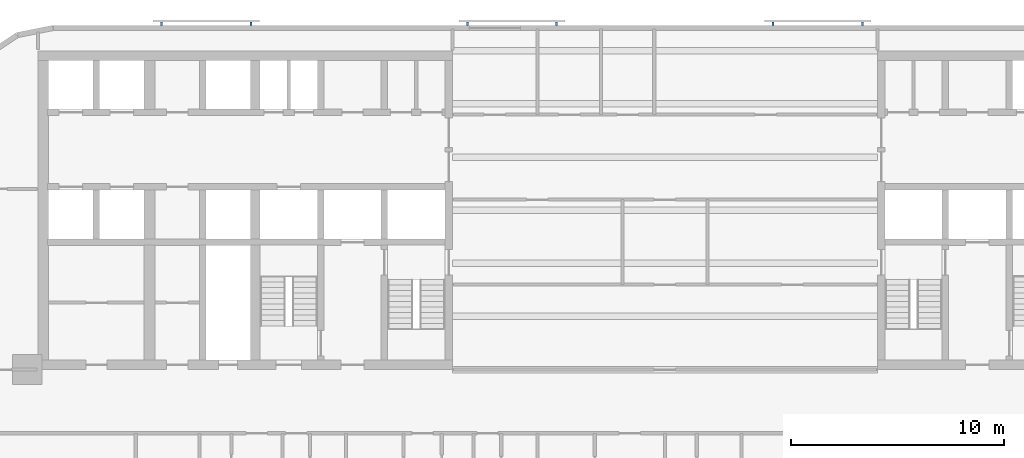
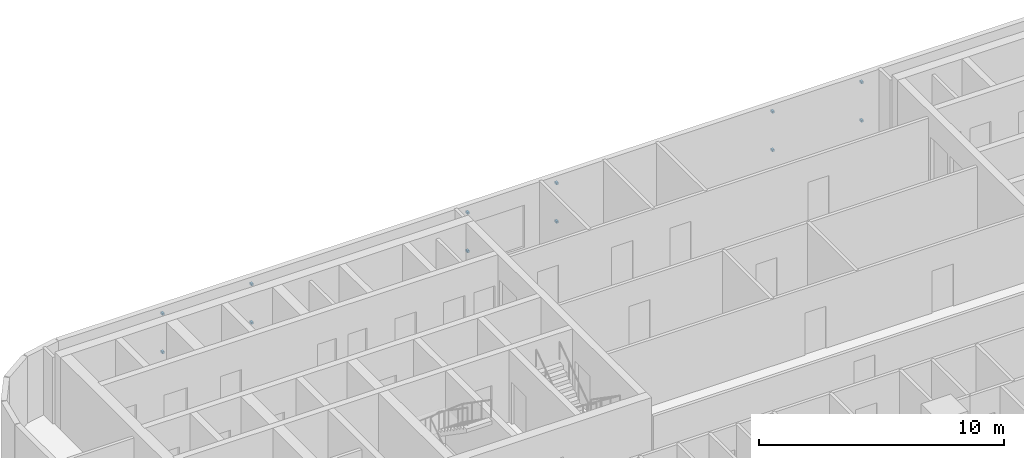
# One storey, part 11 of 15: 12 discrete accessories.
"""IFC4 building model written with IfcOpenShell, lengths in metres."""

import ifcopenshell
import ifcopenshell.guid

model = None  # the IFC model being written
_history = None  # IfcOwnerHistory: only IFC2X3 demands one
_inside = {}  # id of a spatial element -> (the spatial element, [elements in it])
_under = {}  # id of a project, library or spatial element -> (it, [spatial elements below it])
_declared = {}  # id of a project -> (the project, [libraries it declares])
_typed = {}  # id of a type object -> (the type object, [elements of that type])
_made_of = {}  # id of a material, layer set ... -> (it, [elements and type objects made of it])


def new_model(schema):
    """Start an empty IFC model of exactly this schema.

    Asked for "IFC4X3", IfcOpenShell would pick the latest addendum, in which some entities
    have other attributes; the version numbers below select the first issue.
    IFC2X3 requires an IfcOwnerHistory on every rooted entity: one is made here for all.
    """
    global model, _history
    if schema == "IFC4X3":
        model = ifcopenshell.file(schema_version=(4, 3, 0, 0))
    else:
        model = ifcopenshell.file(schema=schema)
    _inside.clear()
    _under.clear()
    _declared.clear()
    _typed.clear()
    _made_of.clear()
    _history = None
    if model.schema == "IFC2X3":
        org = make("IfcOrganization", Name="unknown")
        user = make(
            "IfcPersonAndOrganization",
            ThePerson=make("IfcPerson", FamilyName="unknown"),
            TheOrganization=org,
        )
        app = make(
            "IfcApplication",
            ApplicationDeveloper=org,
            Version="unknown",
            ApplicationFullName="unknown",
            ApplicationIdentifier="unknown",
        )
        _history = make(
            "IfcOwnerHistory",
            OwningUser=user,
            OwningApplication=app,
            ChangeAction="ADDED",
            CreationDate=0,
        )
    return model


def make(cls, **values):
    """One entity of the class cls with the attributes given. An attribute that is None is left unset."""
    return model.create_entity(
        cls, **{name: value for name, value in values.items() if value is not None}
    )


def rooted(cls, **values):
    """An entity with a GlobalId (a new one), such as an element, a storey or a relation."""
    return make(cls, GlobalId=ifcopenshell.guid.new(), OwnerHistory=_history, **values)


def si_unit(unit_type, name, prefix=None):
    """IfcSIUnit, for example si_unit("LENGTHUNIT", "METRE", prefix="MILLI")."""
    return make("IfcSIUnit", UnitType=unit_type, Prefix=prefix, Name=name)


def assignment(units):
    """IfcUnitAssignment: the units of a project."""
    return None if units is None else make("IfcUnitAssignment", Units=units)


def point(xyz):
    """IfcCartesianPoint."""
    return None if xyz is None else make("IfcCartesianPoint", Coordinates=xyz)


def direction(xyz):
    """IfcDirection."""
    return None if xyz is None else make("IfcDirection", DirectionRatios=xyz)


def frame(location, z_axis=None, x_axis=None):
    """IfcAxis2Placement3D, a coordinate frame: its origin and axes. An axis left out is left unset."""
    return make(
        "IfcAxis2Placement3D",
        Location=point(location),
        Axis=direction(z_axis),
        RefDirection=direction(x_axis),
    )


def frame_2d(location, x_axis=None):
    """IfcAxis2Placement2D, a coordinate frame in the plane: its origin and x axis."""
    return make(
        "IfcAxis2Placement2D", Location=point(location), RefDirection=direction(x_axis)
    )


def origin():
    """The frame at (0, 0, 0) with its axes left unset."""
    return frame((0.0, 0.0, 0.0))


def origin_2d():
    """The frame at (0, 0) in the plane with its x axis left unset."""
    return frame_2d((0.0, 0.0))


def place(relative_to, where):
    """IfcLocalPlacement: puts the frame where relative to a parent placement (None: the world)."""
    return make(
        "IfcLocalPlacement", PlacementRelTo=relative_to, RelativePlacement=where
    )


def context(
    kind, dimensions, precision=None, world=None, true_north=None, identifier=None
):
    """IfcGeometricRepresentationContext, for example the 3D "Model" context."""
    return make(
        "IfcGeometricRepresentationContext",
        ContextIdentifier=identifier,
        ContextType=kind,
        CoordinateSpaceDimension=dimensions,
        Precision=precision,
        WorldCoordinateSystem=world,
        TrueNorth=true_north,
    )


def subcontext(parent, identifier, kind, view, scale=None):
    """IfcGeometricRepresentationSubContext, for example "Body" below "Model"."""
    return make(
        "IfcGeometricRepresentationSubContext",
        ContextIdentifier=identifier,
        ContextType=kind,
        ParentContext=parent,
        TargetScale=scale,
        TargetView=view,
    )


def project(units=None, contexts=None):
    """IfcProject with its units and contexts."""
    return rooted(
        "IfcProject",
        Name="project",
        RepresentationContexts=contexts,
        UnitsInContext=assignment(units),
    )


def spatial(cls, under=None, at=None, **own):
    """A site, building, storey or space (cls), placed at a placement, below another one or the project."""
    s = rooted(cls, ObjectPlacement=at, **own)
    if under is not None:
        _under.setdefault(under.id(), (under, []))[1].append(s)
    return s


def profile(cls, at=None, kind="AREA", **sizes):
    """A parametric profile (cls). Its sizes go by their IFC names, for example OverallWidth=200.0."""
    return make(cls, ProfileType=kind, Position=at, **sizes)


def rectangle(**sizes):
    """IfcRectangleProfileDef."""
    return profile("IfcRectangleProfileDef", **sizes)


def extrude(swept, where, along, depth):
    """IfcExtrudedAreaSolid: the profile swept, set in the frame where, extruded along a direction by depth."""
    return make(
        "IfcExtrudedAreaSolid",
        SweptArea=swept,
        Position=where,
        ExtrudedDirection=direction(along),
        Depth=depth,
    )


def shape(context_of_items, identifier, shape_type, items):
    """IfcShapeRepresentation: the items that make up one representation, for example the "Body"."""
    return make(
        "IfcShapeRepresentation",
        ContextOfItems=context_of_items,
        RepresentationIdentifier=identifier,
        RepresentationType=shape_type,
        Items=items,
    )


def material(Name=None, Category=None):
    """IfcMaterial."""
    return make("IfcMaterial", Name=Name, Category=Category)


def made_of(thing, what):
    """Note that an element or type object is made of a material, layer set ...; save() writes the relation."""
    if what is not None:
        _made_of.setdefault(what.id(), (what, []))[1].append(thing)
    return thing


def type_object(cls, material=None, **own):
    """A type object (cls), such as IfcWallType, which elements share."""
    return made_of(rooted(cls, **own), material)


def element(
    cls,
    number,
    at=None,
    inside=None,
    cuts=None,
    type_object=None,
    material=None,
    context=None,
    identifier="Body",
    shape_type=None,
    held_by="IfcProductDefinitionShape",
    body=None,
    shapes=None,
    **own,
):
    """One element of the class cls, such as IfcWall. Its Tag is "e" and its number.

    at: its placement. inside: the storey or other place that contains it. cuts: it is an
    opening in that element (IfcRelVoidsElement). A single representation is given by context,
    identifier, shape_type and body (its items); several are given by shapes. held_by: the class
    of the entity that holds the representations. save() writes the other relations.
    """
    e = rooted(cls, Tag="e%d" % number, ObjectPlacement=at, **own)
    if body is not None:
        shapes = [shape(context, identifier, shape_type, body)]
    if shapes is not None:
        e.Representation = make(held_by, Representations=shapes)
    if inside is not None:
        _inside.setdefault(inside.id(), (inside, []))[1].append(e)
    if cuts is not None:
        rooted(
            "IfcRelVoidsElement", RelatingBuildingElement=cuts, RelatedOpeningElement=e
        )
    if type_object is not None:
        _typed.setdefault(type_object.id(), (type_object, []))[1].append(e)
    return made_of(e, material)


def aggregate(whole, parts):
    """IfcRelAggregates: a whole, such as a stair, and the parts it consists of."""
    return rooted("IfcRelAggregates", RelatingObject=whole, RelatedObjects=parts)


def save(model, path):
    """Write the relations noted so far, then the file.

    IfcRelAggregates (storeys below a building ...), IfcRelContainedInSpatialStructure (elements
    in a storey), IfcRelDefinesByType, IfcRelAssociatesMaterial and IfcRelDeclares: one each for
    every whole, place, type object, material and project.
    """
    for whole, parts in _under.values():
        aggregate(whole, parts)
    for where, things in _inside.values():
        rooted(
            "IfcRelContainedInSpatialStructure",
            RelatedElements=things,
            RelatingStructure=where,
        )
    for kind, things in _typed.values():
        rooted("IfcRelDefinesByType", RelatedObjects=things, RelatingType=kind)
    for what, things in _made_of.values():
        rooted("IfcRelAssociatesMaterial", RelatedObjects=things, RelatingMaterial=what)
    for by, libraries in _declared.values():
        rooted("IfcRelDeclares", RelatingContext=by, RelatedDefinitions=libraries)
    model.write(path)


model = new_model("IFC4")

# Units and contexts
model_context = context("Model", 3, precision=1e-05, world=origin(), true_north=direction((0.0, 1.0)))
body_context = subcontext(model_context, "Body", "Model", "MODEL_VIEW")
ifc_project = project(units=[si_unit("LENGTHUNIT", "METRE"), si_unit("AREAUNIT", "SQUARE_METRE"), si_unit("VOLUMEUNIT", "CUBIC_METRE"), si_unit("PLANEANGLEUNIT", "RADIAN"), si_unit("MASSUNIT", "GRAM", prefix="KILO")], contexts=[model_context])

# Site, building, storey
site_placement = place(None, origin())
site = spatial("IfcSite", under=ifc_project, at=site_placement, CompositionType="ELEMENT")
building_placement = place(site_placement, origin())
building = spatial("IfcBuilding", under=site, at=building_placement, Name="Torana Hotel and Residences", CompositionType="ELEMENT")
storey_placement = place(building_placement, frame((0.0, 0.0, 70.800048828125)))
storey = spatial("IfcBuildingStorey", under=building, at=storey_placement, Name="L17", CompositionType="ELEMENT", Elevation=70.800048828125)

# Discrete accessories
ifc_material = material(Name="Steel S355", Category="steel")
discrete_accessory_type = type_object("IfcDiscreteAccessoryType", Name="SCREEN BRACKET 100", PredefinedType="BRACKET", material=ifc_material)
for number, where, z_axis, x_axis, name in (
    (1, (9.293701171875, 1.27490234375, 0.75), (0.0, 0.0, 1.0), (-1.0, 0.0, 0.0), "Screen bracket L17"),
    (2, (9.293701171875, 1.27490234375, 2.669921875), (0.0, 0.0, 1.0), (-1.0, 0.0, 0.0), "Screen bracket L17"),
    (3, (5.09375, 1.27490234375, 0.75), (0.0, 0.0, 1.0), (-1.0, 0.0, 0.0), "Screen bracket L17"),
    (4, (5.09375, 1.27490234375, 2.669921875), (0.0, 0.0, 1.0), (-1.0, 0.0, 0.0), "Screen bracket L17"),
    (5, (-5.09375, 1.27490234375, 0.75), (0.0, 0.0, 1.0), (-1.0, 0.0, 0.0), "Screen bracket L17"),
    (6, (-5.09375, 1.27490234375, 2.669921875), (0.0, 0.0, 1.0), (-1.0, 0.0, 0.0), "Screen bracket L17"),
    (7, (-9.293701171875, 1.27490234375, 0.75), (0.0, 0.0, 1.0), (-1.0, 0.0, 0.0), "Screen bracket L17"),
    (8, (-9.293701171875, 1.27490234375, 2.669921875), (0.0, 0.0, 1.0), (-1.0, 0.0, 0.0), "Screen bracket L17"),
    (9, (-19.4814453125, 1.27490234375, 0.75), (0.0, 0.0, 1.0), (-1.0, 0.0, 0.0), "Screen bracket L17"),
    (10, (-19.4814453125, 1.27490234375, 2.669921875), (0.0, 0.0, 1.0), (-1.0, 0.0, 0.0), "Screen bracket L17"),
    (11, (-23.681396484375, 1.27490234375, 0.75), (0.0, 0.0, 1.0), (-1.0, 0.0, 0.0), "Screen bracket L17"),
    (12, (-23.681396484375, 1.27490234375, 2.669921875), (0.0, 0.0, 1.0), (-1.0, 0.0, 0.0), "Screen bracket L17"),
):
    element("IfcDiscreteAccessory", number, at=place(storey_placement, frame(where, z_axis=z_axis, x_axis=x_axis)), inside=storey, type_object=discrete_accessory_type, Name=name, PredefinedType="BRACKET", context=body_context, shape_type="SweptSolid", body=[
        extrude(rectangle(XDim=0.10009765625, YDim=0.14990234375, at=origin_2d()), origin(), (0.0, 0.0, 1.0), 0.10009765625),
    ])

save(model, "model.ifc")
